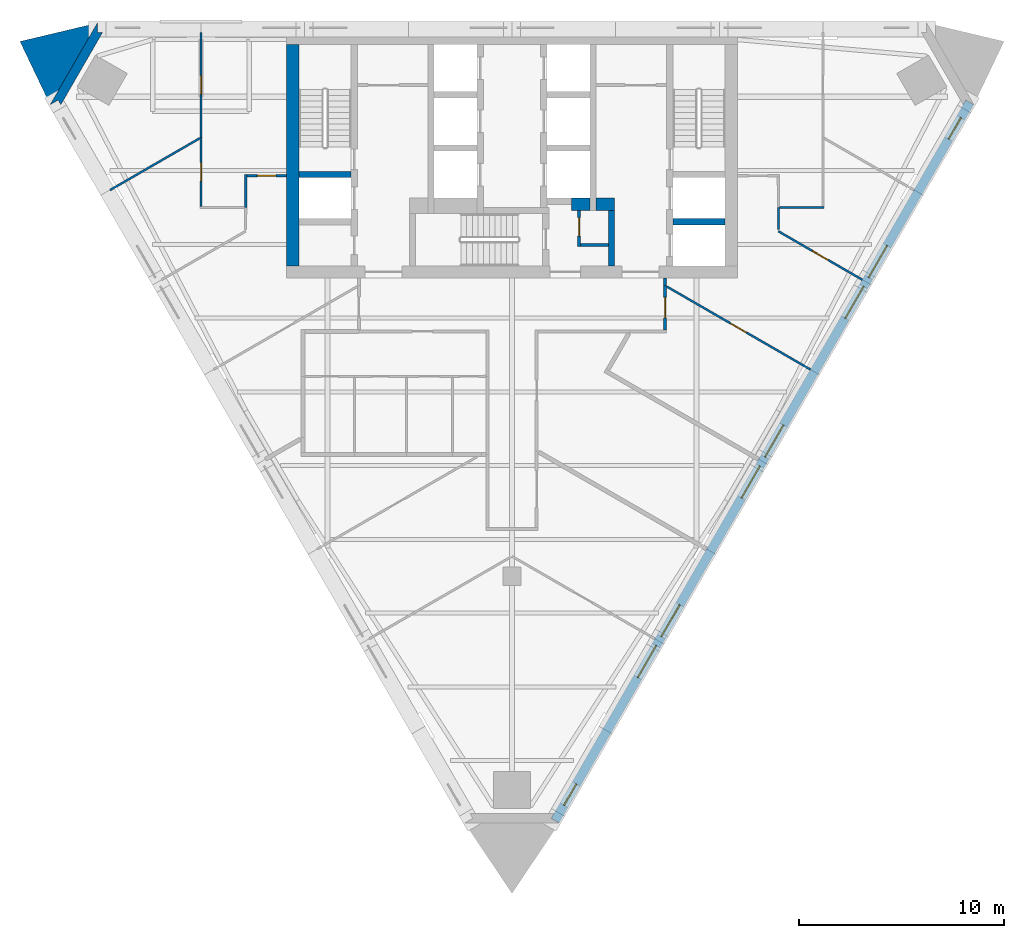
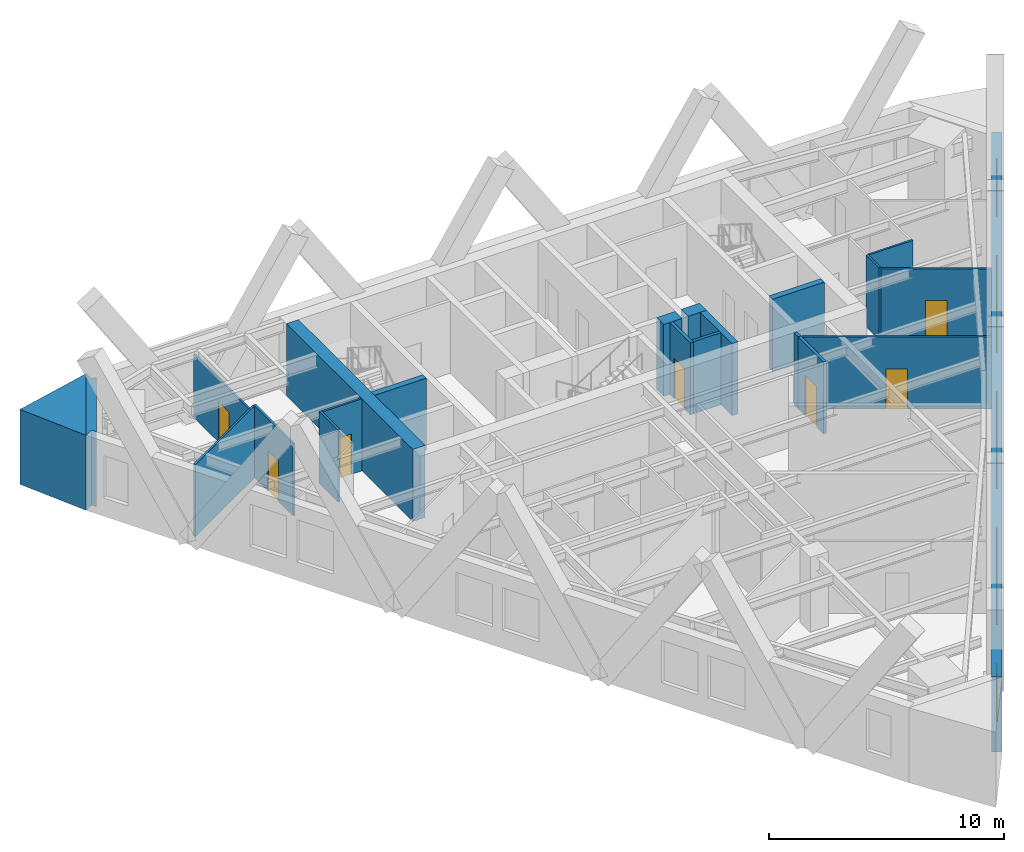
# One storey, part 4 of 7: 22 walls, 8 windows, 7 doors, 15 openings.
"""IFC4 building model written with IfcOpenShell, lengths in metres."""

from ifc_helpers import new_model, si_unit, direction, frame, frame_2d, origin, place, context, subcontext, project, spatial, polyline, rectangle, outline, extrude, material, layer, layer_set, type_object, element, fill, save


model = new_model("IFC4")

# Units and contexts
model_context = context("Model", 3, precision=1e-05, world=origin(), true_north=direction((0.0, 1.0)))
body_context = subcontext(model_context, "Body", "Model", "MODEL_VIEW")
ifc_project = project(units=[si_unit("LENGTHUNIT", "METRE"), si_unit("AREAUNIT", "SQUARE_METRE"), si_unit("VOLUMEUNIT", "CUBIC_METRE"), si_unit("PLANEANGLEUNIT", "RADIAN"), si_unit("MASSUNIT", "GRAM", prefix="KILO")], contexts=[model_context])

# Site, building, storey
site_placement = place(None, origin())
site = spatial("IfcSite", under=ifc_project, at=site_placement, CompositionType="ELEMENT")
building_placement = place(site_placement, origin())
building = spatial("IfcBuilding", under=site, at=building_placement, Name="Aloe Facet Convention Tower", CompositionType="ELEMENT")
storey_placement = place(building_placement, frame((0.0, 0.0, 136.39990234375)))
storey = spatial("IfcBuildingStorey", under=building, at=storey_placement, Name="L34", CompositionType="ELEMENT", Elevation=136.39990234375)

# Wall, opening, door
ifc_material_1 = material(Name="Concrete blockwork partition", Category="masonry")
ifc_layer_1 = layer(ifc_material_1, 0.14990234375)
ifc_layer_set_1 = layer_set([ifc_layer_1], Name="CR-W-PART150")
wall_type_1 = type_object("IfcWallType", Name="CR-W-PART150", PredefinedType="PARTITIONING", material=ifc_layer_set_1)
wall_1_placement = place(storey_placement, frame((83.27490234375, 125.85009765625, 0.0), z_axis=(0.0, 0.0, 1.0), x_axis=(0.0, -1.0, 0.0)))
wall_1 = element("IfcWall", 1, at=wall_1_placement, inside=storey, type_object=wall_type_1, Name="Core partition L34-022", PredefinedType="PARTITIONING", context=body_context, shape_type="SweptSolid", body=[
    extrude(rectangle(XDim=1.75, YDim=0.14990234375, at=frame_2d((0.875, 0.0))), origin(), (0.0, 0.0, 1.0), 3.75),
])
opening_1_placement = place(wall_1_placement, frame((0.35009765625, 0.0, 0.0)))
opening_1 = element("IfcOpeningElement", 2, at=opening_1_placement, cuts=wall_1, Name="Opening L34-CD12", PredefinedType="OPENING", context=body_context, shape_type="SweptSolid", body=[
    extrude(rectangle(XDim=0.89990234375, YDim=2.10009765625, at=frame_2d((0.449951171875, 1.050048828125))), frame((0.0, 0.0849609375, 0.0), z_axis=(0.0, -1.0, 0.0), x_axis=(1.0, 0.0, 0.0)), (0.0, 0.0, 1.0), 0.169921875),
])
ifc_material_2 = material(Name="Steel fire-resisting door set FD60", Category="steel")
door_type_1 = type_object("IfcDoorType", Name="CR-D-REFUGE-900-FD60-SRIGHT", OperationType="SINGLE_SWING_RIGHT", PredefinedType="DOOR", material=ifc_material_2)
door_1_placement = place(opening_1_placement, origin())
door_1 = element("IfcDoor", 3, at=door_1_placement, inside=storey, type_object=door_type_1, Name="Core door L34-CD12", OperationType="SINGLE_SWING_RIGHT", OverallHeight=2.10009765625, OverallWidth=0.89990234375, PredefinedType="DOOR", context=body_context, shape_type="SweptSolid", body=[
    extrude(rectangle(XDim=0.89990234375, YDim=2.10009765625, at=frame_2d((0.449951171875, 1.050048828125))), frame((0.0, 0.02490234375, 0.0), z_axis=(0.0, -1.0, 0.0), x_axis=(1.0, 0.0, 0.0)), (0.0, 0.0, 1.0), 0.050048828125),
])
fill(opening_1, door_1)

# Walls
wall_2_placement = place(storey_placement, frame((83.35009765625, 124.175048828125, 0.0), z_axis=(0.0, 0.0, 1.0), x_axis=(1.0, 0.0, 0.0)))
element("IfcWall", 4, at=wall_2_placement, inside=storey, type_object=wall_type_1, Name="Core partition L34-023", PredefinedType="PARTITIONING", context=body_context, shape_type="SweptSolid", body=[
    extrude(rectangle(XDim=1.349853515625, YDim=0.14990234375, at=frame_2d((0.6748046875, 0.0))), origin(), (0.0, 0.0, 1.0), 3.75),
])
ifc_material_3 = material(Name="Concrete C60/75", Category="concrete")
ifc_layer_2 = layer(ifc_material_3, 0.300048828125)
ifc_layer_set_2 = layer_set([ifc_layer_2], Name="CR-W-RC300-C6075")
wall_type_2 = type_object("IfcWallType", Name="CR-W-RC300-C6075", PredefinedType="SOLIDWALL", material=ifc_layer_set_2)
wall_3_placement = place(storey_placement, frame((69.60009765625, 127.60009765625, 0.0), z_axis=(0.0, 0.0, 1.0), x_axis=(1.0, 0.0, 0.0)))
element("IfcWall", 5, at=wall_3_placement, inside=storey, type_object=wall_type_2, Name="Core wall L34-004", PredefinedType="SOLIDWALL", context=body_context, shape_type="SweptSolid", body=[
    extrude(rectangle(XDim=2.5498046875, YDim=0.300048828125, at=frame_2d((1.27490234375, 0.0))), origin(), (0.0, 0.0, 1.0), 3.75),
])
wall_4_placement = place(storey_placement, frame((84.85009765625, 125.85009765625, 0.0), z_axis=(0.0, 0.0, 1.0), x_axis=(0.0, -1.0, 0.0)))
element("IfcWall", 6, at=wall_4_placement, inside=storey, type_object=wall_type_2, Name="Core wall L34-027", PredefinedType="SOLIDWALL", context=body_context, shape_type="SweptSolid", body=[
    extrude(rectangle(XDim=2.7001953125, YDim=0.300048828125, at=frame_2d((1.35009765625, 0.0))), origin(), (0.0, 0.0, 1.0), 3.75),
])
wall_5_placement = place(storey_placement, frame((87.85009765625, 125.300048828125, 0.0), z_axis=(0.0, 0.0, 1.0), x_axis=(1.0, 0.0, 0.0)))
element("IfcWall", 7, at=wall_5_placement, inside=storey, type_object=wall_type_2, Name="Core wall L34-030", PredefinedType="SOLIDWALL", context=body_context, shape_type="SweptSolid", body=[
    extrude(rectangle(XDim=2.5498046875, YDim=0.300048828125, at=frame_2d((1.27490234375, 0.0))), origin(), (0.0, 0.0, 1.0), 3.75),
])
ifc_material_4 = material(Name="Concrete C60/75", Category="concrete")
ifc_layer_3 = layer(ifc_material_4, 0.60009765625)
ifc_layer_set_3 = layer_set([ifc_layer_3], Name="CR-W-RC600-C6075")
wall_type_3 = type_object("IfcWallType", Name="CR-W-RC600-C6075", PredefinedType="SOLIDWALL", material=ifc_layer_set_3)
wall_6_placement = place(storey_placement, frame((69.300048828125, 133.949951171875, 0.0), z_axis=(0.0, 0.0, 1.0), x_axis=(0.0, -1.0, 0.0)))
element("IfcWall", 8, at=wall_6_placement, inside=storey, type_object=wall_type_3, Name="Core wall L34-002", PredefinedType="SOLIDWALL", context=body_context, shape_type="SweptSolid", body=[
    extrude(rectangle(XDim=10.800048828125, YDim=0.60009765625, at=frame_2d((5.39990234375, 0.0))), origin(), (0.0, 0.0, 1.0), 3.75),
])
wall_7_placement = place(storey_placement, frame((82.89990234375, 126.14990234375, 0.0), z_axis=(0.0, 0.0, 1.0), x_axis=(1.0, 0.0, 0.0)))
element("IfcWall", 9, at=wall_7_placement, inside=storey, type_object=wall_type_3, Name="Core wall L34-021", PredefinedType="SOLIDWALL", context=body_context, shape_type="SweptSolid", body=[
    extrude(rectangle(XDim=0.900146484375, YDim=0.60009765625, at=frame_2d((0.4501953125, 0.0))), origin(), (0.0, 0.0, 1.0), 3.75),
])
wall_8_placement = place(storey_placement, frame((84.10009765625, 126.14990234375, 0.0), z_axis=(0.0, 0.0, 1.0), x_axis=(1.0, 0.0, 0.0)))
element("IfcWall", 10, at=wall_8_placement, inside=storey, type_object=wall_type_3, Name="Core wall L34-026", PredefinedType="SOLIDWALL", context=body_context, shape_type="SweptSolid", body=[
    extrude(rectangle(XDim=0.89990234375, YDim=0.60009765625, at=frame_2d((0.449951171875, 0.0))), origin(), (0.0, 0.0, 1.0), 3.75),
])
ifc_material_5 = material(Name="Precast concrete C40/50", Category="concrete")
ifc_layer_4 = layer(ifc_material_5, 0.449951171875)
ifc_layer_set_4 = layer_set([ifc_layer_4], Name="EV-WALL-PIER")
wall_type_4 = type_object("IfcWallType", Name="EV-WALL-PIER", PredefinedType="SOLIDWALL", material=ifc_layer_set_4)
wall_9_placement = place(storey_placement, frame((0.0, 0.0, -0.14990234375)))
element("IfcWall", 11, at=wall_9_placement, inside=storey, type_object=wall_type_4, Name="EP-L34-A", PredefinedType="SOLIDWALL", context=body_context, shape_type="SweptSolid", body=[
    extrude(outline(polyline([(59.7568359375, 135.0), (59.7568359375, 134.550048828125), (60.016845703125, 134.550048828125), (57.9765625, 131.016357421875), (57.8466796875, 131.2412109375), (57.45703125, 131.016357421875), (59.7568359375, 135.0)])), origin(), (0.0, 0.0, 1.0), 3.89990234375),
])
ifc_material_6 = material(Name="Precast concrete C40/50", Category="concrete")
ifc_layer_5 = layer(ifc_material_6, 3.947998046875)
ifc_layer_set_5 = layer_set([ifc_layer_5], Name="EV-WALL-SPINE")
wall_type_5 = type_object("IfcWallType", Name="EV-WALL-SPINE", PredefinedType="SOLIDWALL", material=ifc_layer_set_5)
wall_10_placement = place(storey_placement, frame((0.0, 0.0, -0.14990234375)))
element("IfcWall", 12, at=wall_10_placement, inside=storey, type_object=wall_type_5, Name="SP-NW-L34", PredefinedType="SOLIDWALL", context=body_context, shape_type="SweptSolid", body=[
    extrude(outline(polyline([(59.7568359375, 135.0), (55.983642578125, 134.10302734375), (57.45703125, 131.016357421875), (59.7568359375, 135.0)])), origin(), (0.0, 0.0, 1.0), 3.89990234375),
])

# Wall, openings, windows
ifc_material_7 = material(Name="Precast concrete C40/50", Category="concrete")
ifc_layer_6 = layer(ifc_material_7, 0.449951171875)
ifc_layer_set_6 = layer_set([ifc_layer_6], Name="EV-WALL-STONE")
wall_type_6 = type_object("IfcWallType", Name="EV-WALL-STONE", PredefinedType="SOLIDWALL", material=ifc_layer_set_6)
wall_11_placement = place(storey_placement, frame((82.105224609375, 96.066650390625, -0.14990234375), z_axis=(0.0, 0.0, 1.0), x_axis=(0.499997369791, 0.866026922331, 0.0)))
wall_11 = element("IfcWall", 13, at=wall_11_placement, inside=storey, type_object=wall_type_6, Name="EW-L34-E01", PredefinedType="SOLIDWALL", context=body_context, shape_type="SweptSolid", body=[
    extrude(outline(polyline([(40.486083984375, 0.0), (40.486083984375, 3.89990234375), (0.0, 3.89990234375), (0.0, 0.0), (40.486083984375, 0.0)])), frame((0.0, 0.22509765625, 0.0), z_axis=(0.0, -1.0, 0.0), x_axis=(1.0, 0.0, 0.0)), (0.0, 0.0, 1.0), 0.449951171875),
])
opening_2_placement = place(wall_11_placement, frame((0.86962890625, 0.0, 0.949951171875)))
opening_2 = element("IfcOpeningElement", 14, at=opening_2_placement, cuts=wall_11, Name="Opening W-L34-E01", PredefinedType="OPENING", context=body_context, shape_type="SweptSolid", body=[
    extrude(rectangle(XDim=1.199951171875, YDim=2.199951171875, at=frame_2d((0.60009765625, 1.10009765625))), frame((0.0, 0.23486328125, 0.0), z_axis=(0.0, -1.0, 0.0), x_axis=(1.0, 0.0, 0.0)), (0.0, 0.0, 1.0), 0.469970703125),
])
opening_3_placement = place(wall_11_placement, frame((8.071533203125, 0.0, 0.949951171875)))
opening_3 = element("IfcOpeningElement", 15, at=opening_3_placement, cuts=wall_11, Name="Opening W-L34-E02", PredefinedType="OPENING", context=body_context, shape_type="SweptSolid", body=[
    extrude(rectangle(XDim=1.800048828125, YDim=2.199951171875, at=frame_2d((0.89990234375, 1.10009765625))), frame((0.0, 0.23486328125, 0.0), z_axis=(0.0, -1.0, 0.0), x_axis=(1.0, 0.0, 0.0)), (0.0, 0.0, 1.0), 0.469970703125),
])
opening_4_placement = place(wall_11_placement, frame((10.37158203125, 0.0, 0.949951171875)))
opening_4 = element("IfcOpeningElement", 16, at=opening_4_placement, cuts=wall_11, Name="Opening W-L34-E03", PredefinedType="OPENING", context=body_context, shape_type="SweptSolid", body=[
    extrude(rectangle(XDim=1.800048828125, YDim=2.199951171875, at=frame_2d((0.89990234375, 1.10009765625))), frame((0.0, 0.23486328125, 0.0), z_axis=(0.0, -1.0, 0.0), x_axis=(1.0, 0.0, 0.0)), (0.0, 0.0, 1.0), 0.469970703125),
])
opening_5_placement = place(wall_11_placement, frame((18.193115234375, 0.0, 0.949951171875)))
opening_5 = element("IfcOpeningElement", 17, at=opening_5_placement, cuts=wall_11, Name="Opening W-L34-E04", PredefinedType="OPENING", context=body_context, shape_type="SweptSolid", body=[
    extrude(rectangle(XDim=1.800048828125, YDim=2.199951171875, at=frame_2d((0.89990234375, 1.10009765625))), frame((0.0, 0.23486328125, 0.0), z_axis=(0.0, -1.0, 0.0), x_axis=(1.0, 0.0, 0.0)), (0.0, 0.0, 1.0), 0.469970703125),
])
opening_6_placement = place(wall_11_placement, frame((20.4931640625, 0.0, 0.949951171875)))
opening_6 = element("IfcOpeningElement", 18, at=opening_6_placement, cuts=wall_11, Name="Opening W-L34-E05", PredefinedType="OPENING", context=body_context, shape_type="SweptSolid", body=[
    extrude(rectangle(XDim=1.800048828125, YDim=2.199951171875, at=frame_2d((0.89990234375, 1.10009765625))), frame((0.0, 0.23486328125, 0.0), z_axis=(0.0, -1.0, 0.0), x_axis=(1.0, 0.0, 0.0)), (0.0, 0.0, 1.0), 0.469970703125),
])
opening_7_placement = place(wall_11_placement, frame((28.314697265625, 0.0, 0.949951171875)))
opening_7 = element("IfcOpeningElement", 19, at=opening_7_placement, cuts=wall_11, Name="Opening W-L34-E06", PredefinedType="OPENING", context=body_context, shape_type="SweptSolid", body=[
    extrude(rectangle(XDim=1.800048828125, YDim=2.199951171875, at=frame_2d((0.89990234375, 1.10009765625))), frame((0.0, 0.23486328125, 0.0), z_axis=(0.0, -1.0, 0.0), x_axis=(1.0, 0.0, 0.0)), (0.0, 0.0, 1.0), 0.469970703125),
])
opening_8_placement = place(wall_11_placement, frame((30.614501953125, 0.0, 0.949951171875)))
opening_8 = element("IfcOpeningElement", 20, at=opening_8_placement, cuts=wall_11, Name="Opening W-L34-E07", PredefinedType="OPENING", context=body_context, shape_type="SweptSolid", body=[
    extrude(rectangle(XDim=1.800048828125, YDim=2.199951171875, at=frame_2d((0.89990234375, 1.10009765625))), frame((0.0, 0.23486328125, 0.0), z_axis=(0.0, -1.0, 0.0), x_axis=(1.0, 0.0, 0.0)), (0.0, 0.0, 1.0), 0.469970703125),
])
opening_9_placement = place(wall_11_placement, frame((38.41650390625, 0.0, 0.949951171875)))
opening_9 = element("IfcOpeningElement", 21, at=opening_9_placement, cuts=wall_11, Name="Opening W-L34-E08", PredefinedType="OPENING", context=body_context, shape_type="SweptSolid", body=[
    extrude(rectangle(XDim=1.199951171875, YDim=2.199951171875, at=frame_2d((0.60009765625, 1.10009765625))), frame((0.0, 0.23486328125, 0.0), z_axis=(0.0, -1.0, 0.0), x_axis=(1.0, 0.0, 0.0)), (0.0, 0.0, 1.0), 0.469970703125),
])
ifc_material_8 = material(Name="Aluminium frame, clear double glazing", Category="aluminium")
window_type_1 = type_object("IfcWindowType", Name="EV-WIN-O12", PartitioningType="SINGLE_PANEL", PredefinedType="WINDOW", material=ifc_material_8)
window_1_placement = place(opening_2_placement, origin())
window_1 = element("IfcWindow", 22, at=window_1_placement, inside=storey, type_object=window_type_1, Name="W-L34-E01", OverallHeight=2.199951171875, OverallWidth=1.199951171875, PartitioningType="SINGLE_PANEL", PredefinedType="WINDOW", context=body_context, shape_type="SweptSolid", body=[
    extrude(rectangle(XDim=1.199951171875, YDim=2.199951171875, at=frame_2d((0.60009765625, 1.10009765625))), frame((0.0, 0.030029296875, 0.0), z_axis=(0.0, -1.0, 0.0), x_axis=(1.0, 0.0, 0.0)), (0.0, 0.0, 1.0), 0.06005859375),
])
fill(opening_2, window_1)
window_2_placement = place(opening_9_placement, origin())
window_2 = element("IfcWindow", 23, at=window_2_placement, inside=storey, type_object=window_type_1, Name="W-L34-E08", OverallHeight=2.199951171875, OverallWidth=1.199951171875, PartitioningType="SINGLE_PANEL", PredefinedType="WINDOW", context=body_context, shape_type="SweptSolid", body=[
    extrude(rectangle(XDim=1.199951171875, YDim=2.199951171875, at=frame_2d((0.60009765625, 1.10009765625))), frame((0.0, 0.030029296875, 0.0), z_axis=(0.0, -1.0, 0.0), x_axis=(1.0, 0.0, 0.0)), (0.0, 0.0, 1.0), 0.06005859375),
])
fill(opening_9, window_2)
ifc_material_9 = material(Name="Aluminium frame, clear double glazing", Category="aluminium")
window_type_2 = type_object("IfcWindowType", Name="EV-WIN-O18", PartitioningType="SINGLE_PANEL", PredefinedType="WINDOW", material=ifc_material_9)
window_3_placement = place(opening_3_placement, origin())
window_3 = element("IfcWindow", 24, at=window_3_placement, inside=storey, type_object=window_type_2, Name="W-L34-E02", OverallHeight=2.199951171875, OverallWidth=1.800048828125, PartitioningType="SINGLE_PANEL", PredefinedType="WINDOW", context=body_context, shape_type="SweptSolid", body=[
    extrude(rectangle(XDim=1.800048828125, YDim=2.199951171875, at=frame_2d((0.89990234375, 1.10009765625))), frame((0.0, 0.030029296875, 0.0), z_axis=(0.0, -1.0, 0.0), x_axis=(1.0, 0.0, 0.0)), (0.0, 0.0, 1.0), 0.06005859375),
])
fill(opening_3, window_3)
window_4_placement = place(opening_4_placement, origin())
window_4 = element("IfcWindow", 25, at=window_4_placement, inside=storey, type_object=window_type_2, Name="W-L34-E03", OverallHeight=2.199951171875, OverallWidth=1.800048828125, PartitioningType="SINGLE_PANEL", PredefinedType="WINDOW", context=body_context, shape_type="SweptSolid", body=[
    extrude(rectangle(XDim=1.800048828125, YDim=2.199951171875, at=frame_2d((0.89990234375, 1.10009765625))), frame((0.0, 0.030029296875, 0.0), z_axis=(0.0, -1.0, 0.0), x_axis=(1.0, 0.0, 0.0)), (0.0, 0.0, 1.0), 0.06005859375),
])
fill(opening_4, window_4)
window_5_placement = place(opening_5_placement, origin())
window_5 = element("IfcWindow", 26, at=window_5_placement, inside=storey, type_object=window_type_2, Name="W-L34-E04", OverallHeight=2.199951171875, OverallWidth=1.800048828125, PartitioningType="SINGLE_PANEL", PredefinedType="WINDOW", context=body_context, shape_type="SweptSolid", body=[
    extrude(rectangle(XDim=1.800048828125, YDim=2.199951171875, at=frame_2d((0.89990234375, 1.10009765625))), frame((0.0, 0.030029296875, 0.0), z_axis=(0.0, -1.0, 0.0), x_axis=(1.0, 0.0, 0.0)), (0.0, 0.0, 1.0), 0.06005859375),
])
fill(opening_5, window_5)
window_6_placement = place(opening_6_placement, origin())
window_6 = element("IfcWindow", 27, at=window_6_placement, inside=storey, type_object=window_type_2, Name="W-L34-E05", OverallHeight=2.199951171875, OverallWidth=1.800048828125, PartitioningType="SINGLE_PANEL", PredefinedType="WINDOW", context=body_context, shape_type="SweptSolid", body=[
    extrude(rectangle(XDim=1.800048828125, YDim=2.199951171875, at=frame_2d((0.89990234375, 1.10009765625))), frame((0.0, 0.030029296875, 0.0), z_axis=(0.0, -1.0, 0.0), x_axis=(1.0, 0.0, 0.0)), (0.0, 0.0, 1.0), 0.06005859375),
])
fill(opening_6, window_6)
window_7_placement = place(opening_7_placement, origin())
window_7 = element("IfcWindow", 28, at=window_7_placement, inside=storey, type_object=window_type_2, Name="W-L34-E06", OverallHeight=2.199951171875, OverallWidth=1.800048828125, PartitioningType="SINGLE_PANEL", PredefinedType="WINDOW", context=body_context, shape_type="SweptSolid", body=[
    extrude(rectangle(XDim=1.800048828125, YDim=2.199951171875, at=frame_2d((0.89990234375, 1.10009765625))), frame((0.0, 0.030029296875, 0.0), z_axis=(0.0, -1.0, 0.0), x_axis=(1.0, 0.0, 0.0)), (0.0, 0.0, 1.0), 0.06005859375),
])
fill(opening_7, window_7)
window_8_placement = place(opening_8_placement, origin())
window_8 = element("IfcWindow", 29, at=window_8_placement, inside=storey, type_object=window_type_2, Name="W-L34-E07", OverallHeight=2.199951171875, OverallWidth=1.800048828125, PartitioningType="SINGLE_PANEL", PredefinedType="WINDOW", context=body_context, shape_type="SweptSolid", body=[
    extrude(rectangle(XDim=1.800048828125, YDim=2.199951171875, at=frame_2d((0.89990234375, 1.10009765625))), frame((0.0, 0.030029296875, 0.0), z_axis=(0.0, -1.0, 0.0), x_axis=(1.0, 0.0, 0.0)), (0.0, 0.0, 1.0), 0.06005859375),
])
fill(opening_8, window_8)

# Wall, opening, door
ifc_material_10 = material(Name="Gypsum board partition on steel studs", Category="steel")
ifc_layer_7 = layer(ifc_material_10, 0.14990234375)
ifc_layer_set_7 = layer_set([ifc_layer_7], Name="IN-W-CORR")
wall_type_7 = type_object("IfcWallType", Name="IN-W-CORR", PredefinedType="PARTITIONING", material=ifc_layer_set_7)
wall_12_placement = place(storey_placement, frame((87.47509765625, 120.02490234375, 0.0), z_axis=(0.0, 0.0, 1.0), x_axis=(0.0, 1.0, 0.0)))
wall_12 = element("IfcWall", 30, at=wall_12_placement, inside=storey, type_object=wall_type_7, Name="Partition L34-W037", PredefinedType="PARTITIONING", context=body_context, shape_type="SweptSolid", body=[
    extrude(rectangle(XDim=2.159912109375, YDim=0.14990234375, at=frame_2d((1.080078125, 0.0))), origin(), (0.0, 0.0, 1.0), 3.75),
])
opening_10_placement = place(wall_12_placement, frame((0.579833984375, 0.0, 0.0)))
opening_10 = element("IfcOpeningElement", 31, at=opening_10_placement, cuts=wall_12, Name="Opening L34-013", PredefinedType="OPENING", context=body_context, shape_type="SweptSolid", body=[
    extrude(rectangle(XDim=1.0, YDim=2.10009765625, at=frame_2d((0.5, 1.050048828125))), frame((0.0, 0.0849609375, 0.0), z_axis=(0.0, -1.0, 0.0), x_axis=(1.0, 0.0, 0.0)), (0.0, 0.0, 1.0), 0.169921875),
])
ifc_material_11 = material(Name="Timber door FD30S with vision panel", Category="wood")
door_type_2 = type_object("IfcDoorType", Name="IN-OFF-D-ENTRY", OperationType="SINGLE_SWING_LEFT", PredefinedType="DOOR", material=ifc_material_11)
door_2_placement = place(opening_10_placement, origin())
door_2 = element("IfcDoor", 32, at=door_2_placement, inside=storey, type_object=door_type_2, Name="Door L34-013", OperationType="SINGLE_SWING_LEFT", OverallHeight=2.10009765625, OverallWidth=1.0, PredefinedType="DOOR", context=body_context, shape_type="SweptSolid", body=[
    extrude(rectangle(XDim=1.0, YDim=2.10009765625, at=frame_2d((0.5, 1.050048828125))), frame((0.0, 0.02490234375, 0.0), z_axis=(0.0, -1.0, 0.0), x_axis=(1.0, 0.0, 0.0)), (0.0, 0.0, 1.0), 0.050048828125),
])
fill(opening_10, door_2)

# Wall
wall_13_placement = place(storey_placement, frame((87.47509765625, 122.184814453125, 0.0), z_axis=(0.0, 0.0, 1.0), x_axis=(0.0, 1.0, 0.0)))
element("IfcWall", 33, at=wall_13_placement, inside=storey, type_object=wall_type_7, Name="Partition L34-W040", PredefinedType="PARTITIONING", context=body_context, shape_type="SweptSolid", body=[
    extrude(rectangle(XDim=0.365234375, YDim=0.14990234375, at=frame_2d((0.1826171875, 0.0))), origin(), (0.0, 0.0, 1.0), 3.75),
])

# Wall, opening, door
ifc_material_12 = material(Name="Gypsum board partition on steel studs", Category="steel")
ifc_layer_8 = layer(ifc_material_12, 0.10009765625)
ifc_layer_set_8 = layer_set([ifc_layer_8], Name="IN-W-PART")
wall_type_8 = type_object("IfcWallType", Name="IN-W-PART", PredefinedType="PARTITIONING", material=ifc_layer_set_8)
wall_14_placement = place(storey_placement, frame((87.557373046875, 122.13720703125, 0.0), z_axis=(0.0, 0.0, 1.0), x_axis=(0.866029768103, -0.499992440702, 0.0)))
wall_14 = element("IfcWall", 34, at=wall_14_placement, inside=storey, type_object=wall_type_8, Name="Partition L34-W028", PredefinedType="PARTITIONING", context=body_context, shape_type="SweptSolid", body=[
    extrude(rectangle(XDim=8.088623046875, YDim=0.10009765625, at=frame_2d((4.04443359375, 0.0))), origin(), (0.0, 0.0, 1.0), 3.75),
])
opening_11_placement = place(wall_14_placement, frame((3.59423828125, 0.0, 0.0)))
opening_11 = element("IfcOpeningElement", 35, at=opening_11_placement, cuts=wall_14, Name="Opening L34-014", PredefinedType="OPENING", context=body_context, shape_type="SweptSolid", body=[
    extrude(rectangle(XDim=0.89990234375, YDim=2.10009765625, at=frame_2d((0.449951171875, 1.050048828125))), frame((0.0, 0.06005859375, 0.0), z_axis=(0.0, -1.0, 0.0), x_axis=(1.0, 0.0, 0.0)), (0.0, 0.0, 1.0), 0.1201171875),
])
ifc_material_13 = material(Name="Timber door", Category="wood")
door_type_3 = type_object("IfcDoorType", Name="IN-OFF-D-ROOM", OperationType="SINGLE_SWING_LEFT", PredefinedType="DOOR", material=ifc_material_13)
door_3_placement = place(opening_11_placement, origin())
door_3 = element("IfcDoor", 36, at=door_3_placement, inside=storey, type_object=door_type_3, Name="Door L34-014", OperationType="SINGLE_SWING_LEFT", OverallHeight=2.10009765625, OverallWidth=0.89990234375, PredefinedType="DOOR", context=body_context, shape_type="SweptSolid", body=[
    extrude(rectangle(XDim=0.89990234375, YDim=2.10009765625, at=frame_2d((0.449951171875, 1.050048828125))), frame((0.0, 0.02490234375, 0.0), z_axis=(0.0, -1.0, 0.0), x_axis=(1.0, 0.0, 0.0)), (0.0, 0.0, 1.0), 0.050048828125),
])
fill(opening_11, door_3)

wall_15_placement = place(storey_placement, frame((93.0, 124.838623046875, 0.0), z_axis=(0.0, 0.0, 1.0), x_axis=(0.866028145587, -0.499995251029, 0.0)))
wall_15 = element("IfcWall", 37, at=wall_15_placement, inside=storey, type_object=wall_type_8, Name="Partition L34-W039", PredefinedType="PARTITIONING", context=body_context, shape_type="SweptSolid", body=[
    extrude(rectangle(XDim=4.7255859375, YDim=0.10009765625, at=frame_2d((2.36279296875, 0.0))), origin(), (0.0, 0.0, 1.0), 3.75),
])
opening_12_placement = place(wall_15_placement, frame((1.912841796875, 0.0, 0.0)))
opening_12 = element("IfcOpeningElement", 38, at=opening_12_placement, cuts=wall_15, Name="Opening L34-015", PredefinedType="OPENING", context=body_context, shape_type="SweptSolid", body=[
    extrude(rectangle(XDim=0.89990234375, YDim=2.10009765625, at=frame_2d((0.449951171875, 1.050048828125))), frame((0.0, 0.06005859375, 0.0), z_axis=(0.0, -1.0, 0.0), x_axis=(1.0, 0.0, 0.0)), (0.0, 0.0, 1.0), 0.1201171875),
])
door_4_placement = place(opening_12_placement, origin())
door_4 = element("IfcDoor", 39, at=door_4_placement, inside=storey, type_object=door_type_3, Name="Door L34-015", OperationType="SINGLE_SWING_LEFT", OverallHeight=2.10009765625, OverallWidth=0.89990234375, PredefinedType="DOOR", context=body_context, shape_type="SweptSolid", body=[
    extrude(rectangle(XDim=0.89990234375, YDim=2.10009765625, at=frame_2d((0.449951171875, 1.050048828125))), frame((0.0, 0.02490234375, 0.0), z_axis=(0.0, -1.0, 0.0), x_axis=(1.0, 0.0, 0.0)), (0.0, 0.0, 1.0), 0.050048828125),
])
fill(opening_12, door_4)

# Walls
wall_16_placement = place(storey_placement, frame((93.0, 124.92529296875, 0.0), z_axis=(0.0, 0.0, 1.0), x_axis=(0.0, 1.0, 0.0)))
element("IfcWall", 40, at=wall_16_placement, inside=storey, type_object=wall_type_8, Name="Partition L34-W041", PredefinedType="PARTITIONING", context=body_context, shape_type="SweptSolid", body=[
    extrude(rectangle(XDim=1.07470703125, YDim=0.10009765625, at=frame_2d((0.537353515625, 0.0))), origin(), (0.0, 0.0, 1.0), 3.75),
])
wall_17_placement = place(storey_placement, frame((67.0029296875, 125.989990234375, 0.0), z_axis=(0.0, 0.0, 1.0), x_axis=(0.0, 1.0, 0.0)))
element("IfcWall", 41, at=wall_17_placement, inside=storey, type_object=wall_type_8, Name="Partition L34-W043", PredefinedType="PARTITIONING", context=body_context, shape_type="SweptSolid", body=[
    extrude(rectangle(XDim=1.60693359375, YDim=0.10009765625, at=frame_2d((0.803466796875, 0.0))), origin(), (0.0, 0.0, 1.0), 3.75),
])
wall_18_placement = place(storey_placement, frame((93.050048828125, 126.0, 0.0), z_axis=(0.0, 0.0, 1.0), x_axis=(1.0, 0.0, 0.0)))
element("IfcWall", 42, at=wall_18_placement, inside=storey, type_object=wall_type_8, Name="Partition L34-W045", PredefinedType="PARTITIONING", context=body_context, shape_type="SweptSolid", body=[
    extrude(rectangle(XDim=2.17236328125, YDim=0.10009765625, at=frame_2d((1.086181640625, 0.0))), origin(), (0.0, 0.0, 1.0), 3.75),
])

# Wall, opening, door
wall_19_placement = place(storey_placement, frame((67.052978515625, 127.546875, 0.0), z_axis=(0.0, 0.0, 1.0), x_axis=(0.999999992138, 0.000125391849, 0.0)))
wall_19 = element("IfcWall", 43, at=wall_19_placement, inside=storey, type_object=wall_type_8, Name="Partition L34-W048", PredefinedType="PARTITIONING", context=body_context, shape_type="SweptSolid", body=[
    extrude(rectangle(XDim=1.947021484375, YDim=0.10009765625, at=frame_2d((0.9736328125, 0.0))), origin(), (0.0, 0.0, 1.0), 3.75),
])
opening_13_placement = place(wall_19_placement, frame((0.5234375, 0.0, 0.0)))
opening_13 = element("IfcOpeningElement", 44, at=opening_13_placement, cuts=wall_19, Name="Opening L34-007", PredefinedType="OPENING", context=body_context, shape_type="SweptSolid", body=[
    extrude(rectangle(XDim=0.89990234375, YDim=2.10009765625, at=frame_2d((0.449951171875, 1.050048828125))), frame((0.0, 0.06005859375, 0.0), z_axis=(0.0, -1.0, 0.0), x_axis=(1.0, 0.0, 0.0)), (0.0, 0.0, 1.0), 0.1201171875),
])
door_5_placement = place(opening_13_placement, origin())
door_5 = element("IfcDoor", 45, at=door_5_placement, inside=storey, type_object=door_type_3, Name="Door L34-007", OperationType="SINGLE_SWING_LEFT", OverallHeight=2.10009765625, OverallWidth=0.89990234375, PredefinedType="DOOR", context=body_context, shape_type="SweptSolid", body=[
    extrude(rectangle(XDim=0.89990234375, YDim=2.10009765625, at=frame_2d((0.449951171875, 1.050048828125))), frame((0.0, 0.02490234375, 0.0), z_axis=(0.0, -1.0, 0.0), x_axis=(1.0, 0.0, 0.0)), (0.0, 0.0, 1.0), 0.050048828125),
])
fill(opening_13, door_5)

wall_20_placement = place(storey_placement, frame((64.82763671875, 126.050048828125, 0.0), z_axis=(0.0, 0.0, 1.0), x_axis=(0.0, 1.0, 0.0)))
wall_20 = element("IfcWall", 46, at=wall_20_placement, inside=storey, type_object=wall_type_8, Name="Partition L34-W051", PredefinedType="PARTITIONING", context=body_context, shape_type="SweptSolid", body=[
    extrude(rectangle(XDim=3.36669921875, YDim=0.10009765625, at=frame_2d((1.683349609375, 0.0))), origin(), (0.0, 0.0, 1.0), 3.75),
])
opening_14_placement = place(wall_20_placement, frame((1.2333984375, 0.0, 0.0)))
opening_14 = element("IfcOpeningElement", 47, at=opening_14_placement, cuts=wall_20, Name="Opening L34-008", PredefinedType="OPENING", context=body_context, shape_type="SweptSolid", body=[
    extrude(rectangle(XDim=0.89990234375, YDim=2.10009765625, at=frame_2d((0.449951171875, 1.050048828125))), frame((0.0, 0.06005859375, 0.0), z_axis=(0.0, -1.0, 0.0), x_axis=(1.0, 0.0, 0.0)), (0.0, 0.0, 1.0), 0.1201171875),
])
door_6_placement = place(opening_14_placement, origin())
door_6 = element("IfcDoor", 48, at=door_6_placement, inside=storey, type_object=door_type_3, Name="Door L34-008", OperationType="SINGLE_SWING_LEFT", OverallHeight=2.10009765625, OverallWidth=0.89990234375, PredefinedType="DOOR", context=body_context, shape_type="SweptSolid", body=[
    extrude(rectangle(XDim=0.89990234375, YDim=2.10009765625, at=frame_2d((0.449951171875, 1.050048828125))), frame((0.0, 0.02490234375, 0.0), z_axis=(0.0, -1.0, 0.0), x_axis=(1.0, 0.0, 0.0)), (0.0, 0.0, 1.0), 0.050048828125),
])
fill(opening_14, door_6)

# Wall
wall_21_placement = place(storey_placement, frame((60.3818359375, 126.85009765625, 0.0), z_axis=(0.0, 0.0, 1.0), x_axis=(0.866041859802, 0.499971496258, 0.0)))
element("IfcWall", 49, at=wall_21_placement, inside=storey, type_object=wall_type_8, Name="Partition L34-W052", PredefinedType="PARTITIONING", context=body_context, shape_type="SweptSolid", body=[
    extrude(rectangle(XDim=5.063232421875, YDim=0.10009765625, at=frame_2d((2.53173828125, 0.0))), origin(), (0.0, 0.0, 1.0), 3.75),
])

# Wall, opening, door
wall_22_placement = place(storey_placement, frame((64.82763671875, 129.416748046875, 0.0), z_axis=(0.0, 0.0, 1.0), x_axis=(0.0, 1.0, 0.0)))
wall_22 = element("IfcWall", 50, at=wall_22_placement, inside=storey, type_object=wall_type_8, Name="Partition L34-W054", PredefinedType="PARTITIONING", context=body_context, shape_type="SweptSolid", body=[
    extrude(rectangle(XDim=5.13330078125, YDim=0.10009765625, at=frame_2d((2.566650390625, 0.0))), origin(), (0.0, 0.0, 1.0), 3.280029296875),
])
opening_15_placement = place(wall_22_placement, frame((2.11669921875, 0.0, 0.0)))
opening_15 = element("IfcOpeningElement", 51, at=opening_15_placement, cuts=wall_22, Name="Opening L34-016", PredefinedType="OPENING", context=body_context, shape_type="SweptSolid", body=[
    extrude(rectangle(XDim=0.89990234375, YDim=2.10009765625, at=frame_2d((0.449951171875, 1.050048828125))), frame((0.0, 0.06005859375, 0.0), z_axis=(0.0, -1.0, 0.0), x_axis=(1.0, 0.0, 0.0)), (0.0, 0.0, 1.0), 0.1201171875),
])
door_7_placement = place(opening_15_placement, origin())
door_7 = element("IfcDoor", 52, at=door_7_placement, inside=storey, type_object=door_type_3, Name="Door L34-016", OperationType="SINGLE_SWING_LEFT", OverallHeight=2.10009765625, OverallWidth=0.89990234375, PredefinedType="DOOR", context=body_context, shape_type="SweptSolid", body=[
    extrude(rectangle(XDim=0.89990234375, YDim=2.10009765625, at=frame_2d((0.449951171875, 1.050048828125))), frame((0.0, 0.02490234375, 0.0), z_axis=(0.0, -1.0, 0.0), x_axis=(1.0, 0.0, 0.0)), (0.0, 0.0, 1.0), 0.050048828125),
])
fill(opening_15, door_7)

save(model, "model.ifc")
